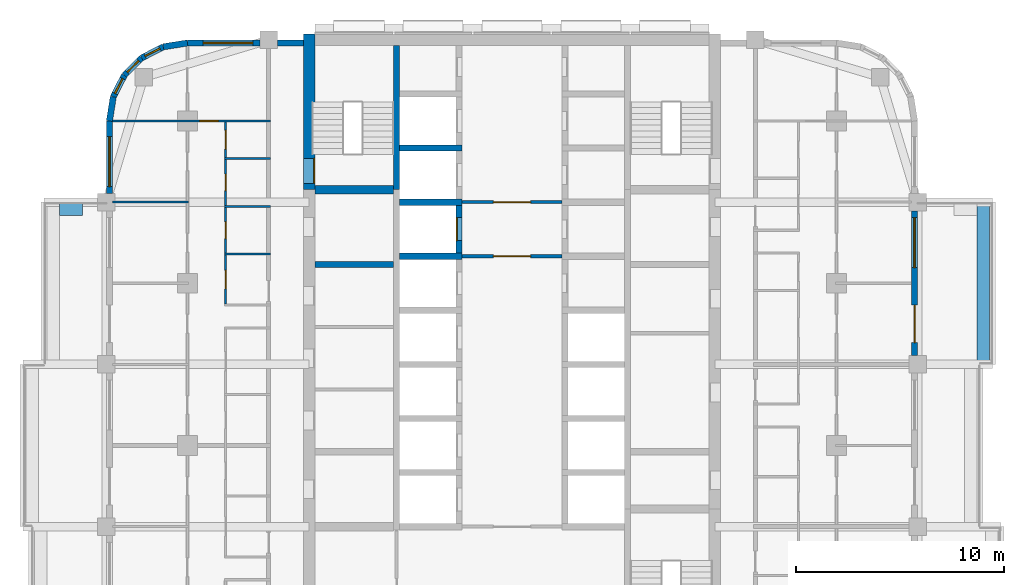
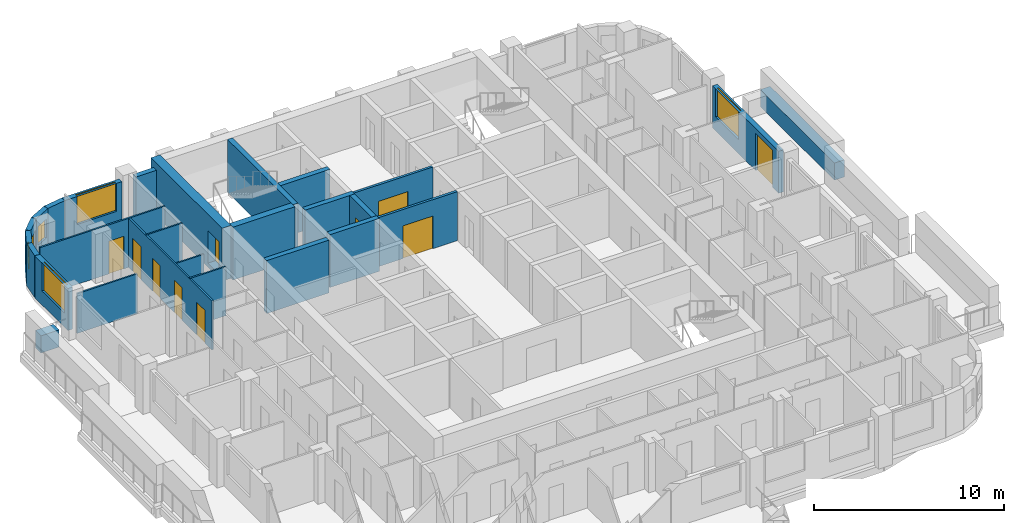
# One storey, part 8 of 14: 27 walls, 10 doors, 6 windows, 16 openings.
"""IFC4 building model written with IfcOpenShell, lengths in metres."""

from ifc_helpers import new_model, si_unit, direction, frame, frame_2d, origin, place, context, subcontext, project, spatial, rectangle, extrude, material, layer, layer_set, type_object, element, fill, save


model = new_model("IFC4")

# Units and contexts
model_context = context("Model", 3, precision=1e-05, world=origin(), true_north=direction((0.0, 1.0)))
body_context = subcontext(model_context, "Body", "Model", "MODEL_VIEW")
ifc_project = project(units=[si_unit("LENGTHUNIT", "METRE"), si_unit("AREAUNIT", "SQUARE_METRE"), si_unit("VOLUMEUNIT", "CUBIC_METRE"), si_unit("PLANEANGLEUNIT", "RADIAN"), si_unit("MASSUNIT", "GRAM", prefix="KILO")], contexts=[model_context])

# Site, building, storey
site_placement = place(None, origin())
site = spatial("IfcSite", under=ifc_project, at=site_placement, CompositionType="ELEMENT")
building_placement = place(site_placement, origin())
building = spatial("IfcBuilding", under=site, at=building_placement, Name="Ludao Terraces", CompositionType="ELEMENT")
storey_placement = place(building_placement, frame((0.0, 0.0, 106.699951171875)))
storey = spatial("IfcBuildingStorey", under=building, at=storey_placement, Name="L29", CompositionType="ELEMENT", Elevation=106.699951171875)

# Wall, opening, door
ifc_material_1 = material(Name="Concrete C60", Category="concrete")
ifc_layer_1 = layer(ifc_material_1, 0.550048828125)
ifc_layer_set_1 = layer_set([ifc_layer_1], Name="Core wall 550 C60")
wall_type_1 = type_object("IfcWallType", Name="Core wall 550 C60", PredefinedType="SOLIDWALL", material=ifc_layer_set_1)
wall_1_placement = place(storey_placement, frame((75.25, 77.300048828125, -0.25), z_axis=(0.0, 0.0, 1.0), x_axis=(0.0, 1.0, 0.0)))
wall_1 = element("IfcWall", 1, at=wall_1_placement, inside=storey, type_object=wall_type_1, Name="Core wall L29 outer-W-S1", PredefinedType="SOLIDWALL", context=body_context, shape_type="SweptSolid", body=[
    extrude(rectangle(XDim=7.474853515625, YDim=0.550048828125, at=frame_2d((3.7373046875, 0.0))), origin(), (0.0, 0.0, 1.0), 3.400146484375),
])
opening_1_placement = place(wall_1_placement, frame((0.300048828125, 0.0, 0.25)))
opening_1 = element("IfcOpeningElement", 2, at=opening_1_placement, cuts=wall_1, Name="Opening R08-088", PredefinedType="OPENING", context=body_context, shape_type="SweptSolid", body=[
    extrude(rectangle(XDim=1.199951171875, YDim=2.10009765625, at=frame_2d((0.60009765625, 1.050048828125))), frame((0.0, 0.28515625, 0.0), z_axis=(0.0, -1.0, 0.0), x_axis=(1.0, 0.0, 0.0)), (0.0, 0.0, 1.0), 0.570068359375),
])
ifc_material_2 = material(Name="Steel Q235", Category="steel")
door_type_1 = type_object("IfcDoorType", Name="INT Stair door 1200", OperationType="DOUBLE_DOOR_SINGLE_SWING", PredefinedType="DOOR", material=ifc_material_2)
door_1_placement = place(opening_1_placement, origin())
door_1 = element("IfcDoor", 3, at=door_1_placement, inside=storey, type_object=door_type_1, Name="DOOR 088", OperationType="DOUBLE_DOOR_SINGLE_SWING", OverallHeight=2.10009765625, OverallWidth=1.199951171875, PredefinedType="DOOR", context=body_context, shape_type="SweptSolid", body=[
    extrude(rectangle(XDim=1.199951171875, YDim=2.10009765625, at=frame_2d((0.60009765625, 1.050048828125))), frame((0.0, -0.2099609375, 0.0), z_axis=(0.0, -1.0, 0.0), x_axis=(1.0, 0.0, 0.0)), (0.0, 0.0, 1.0), 0.050048828125),
])
fill(opening_1, door_1)

# Walls
ifc_material_3 = material(Name="Concrete C40", Category="concrete")
ifc_layer_2 = layer(ifc_material_3, 0.60009765625)
ifc_layer_set_2 = layer_set([ifc_layer_2], Name="ENV Planter trough 600")
wall_type_2 = type_object("IfcWallType", Name="ENV Planter trough 600", PredefinedType="USERDEFINED", material=ifc_layer_set_2)
wall_2_placement = place(storey_placement, frame((107.64990234375, 68.89990234375, 0.0), z_axis=(0.0, 0.0, 1.0), x_axis=(0.0, 1.0, 0.0)))
element("IfcWall", 4, at=wall_2_placement, inside=storey, type_object=wall_type_2, Name="PL-L29-E3", ObjectType="PLANTER", PredefinedType="USERDEFINED", context=body_context, shape_type="SweptSolid", body=[
    extrude(rectangle(XDim=7.800048828125, YDim=0.60009765625, at=frame_2d((3.89990234375, 0.0))), origin(), (0.0, 0.0, 1.0), 1.10009765625),
])
wall_3_placement = place(storey_placement, frame((63.25, 76.35009765625, 0.0), z_axis=(0.0, 0.0, 1.0), x_axis=(1.0, 0.0, 0.0)))
element("IfcWall", 5, at=wall_3_placement, inside=storey, type_object=wall_type_2, Name="PL-L29-W3-SB", ObjectType="PLANTER", PredefinedType="USERDEFINED", context=body_context, shape_type="SweptSolid", body=[
    extrude(rectangle(XDim=1.10009765625, YDim=0.60009765625, at=frame_2d((0.550048828125, 0.0))), origin(), (0.0, 0.0, 1.0), 1.10009765625),
])

# Wall, openings, door, window
ifc_material_4 = material(Name="Granite cladding", Category="masonry")
ifc_layer_3 = layer(ifc_material_4, 0.0400390625, Category="stone")
ifc_material_5 = material(Name="Mineral wool")
ifc_layer_4 = layer(ifc_material_5, 0.06005859375)
ifc_layer_5 = layer(ifc_material_3, 0.199951171875, Category="concrete")
ifc_layer_set_3 = layer_set([ifc_layer_3, ifc_layer_4, ifc_layer_5], Name="ENV Stone-clad wall 300")
wall_type_3 = type_object("IfcWallType", Name="ENV Stone-clad wall 300", PredefinedType="SOLIDWALL", material=ifc_layer_set_3)
wall_4_placement = place(storey_placement, frame((104.35009765625, 69.324951171875, 0.0), z_axis=(0.0, 0.0, 1.0), x_axis=(0.0, 1.0, 0.0)))
wall_4 = element("IfcWall", 6, at=wall_4_placement, inside=storey, type_object=wall_type_3, Name="EW-L29-E4", PredefinedType="SOLIDWALL", context=body_context, shape_type="SweptSolid", body=[
    extrude(rectangle(XDim=6.949951171875, YDim=0.300048828125, at=frame_2d((3.47509765625, 0.0))), origin(), (0.0, 0.0, 1.0), 2.699951171875),
])
opening_2_placement = place(wall_4_placement, frame((0.625, 0.0, 0.0)))
opening_2 = element("IfcOpeningElement", 7, at=opening_2_placement, cuts=wall_4, Name="Opening BD", PredefinedType="OPENING", context=body_context, shape_type="SweptSolid", body=[
    extrude(rectangle(XDim=1.800048828125, YDim=2.39990234375, at=frame_2d((0.89990234375, 1.199951171875))), frame((0.0, 0.16015625, 0.0), z_axis=(0.0, -1.0, 0.0), x_axis=(1.0, 0.0, 0.0)), (0.0, 0.0, 1.0), 0.320068359375),
])
opening_3_placement = place(wall_4_placement, frame((4.22509765625, 0.0, 0.89990234375)))
opening_3 = element("IfcOpeningElement", 8, at=opening_3_placement, cuts=wall_4, Name="Opening W1", PredefinedType="OPENING", context=body_context, shape_type="SweptSolid", body=[
    extrude(rectangle(XDim=2.39990234375, YDim=1.800048828125, at=frame_2d((1.199951171875, 0.89990234375))), frame((0.0, 0.16015625, 0.0), z_axis=(0.0, -1.0, 0.0), x_axis=(1.0, 0.0, 0.0)), (0.0, 0.0, 1.0), 0.320068359375),
])
ifc_material_6 = material(Name="Aluminium glazed door", Category="aluminium")
ifc_layer_6 = layer(ifc_material_6, 0.06005859375)
ifc_layer_set_4 = layer_set([ifc_layer_6], Name="ENV Balcony door BD 1800x2400")
door_type_2 = type_object("IfcDoorType", Name="ENV Balcony door BD 1800x2400", OperationType="DOUBLE_DOOR_SINGLE_SWING", PredefinedType="DOOR", material=ifc_layer_set_4)
door_2_placement = place(opening_2_placement, origin())
door_2 = element("IfcDoor", 9, at=door_2_placement, inside=storey, type_object=door_type_2, Name="BD-L29-E4-1", OperationType="DOUBLE_DOOR_SINGLE_SWING", OverallHeight=2.39990234375, OverallWidth=1.800048828125, PredefinedType="DOOR", context=body_context, shape_type="SweptSolid", body=[
    extrude(rectangle(XDim=1.800048828125, YDim=2.39990234375, at=frame_2d((0.89990234375, 1.199951171875))), frame((0.0, 0.02490234375, 0.0), z_axis=(0.0, -1.0, 0.0), x_axis=(1.0, 0.0, 0.0)), (0.0, 0.0, 1.0), 0.050048828125),
])
fill(opening_2, door_2)
ifc_material_7 = material(Name="Clear glass in aluminium frame", Category="aluminium")
ifc_layer_7 = layer(ifc_material_7, 0.06005859375)
ifc_layer_set_5 = layer_set([ifc_layer_7], Name="ENV Window W1 2400x1800")
window_type_1 = type_object("IfcWindowType", Name="ENV Window W1 2400x1800", PartitioningType="DOUBLE_PANEL_VERTICAL", PredefinedType="WINDOW", material=ifc_layer_set_5)
window_1_placement = place(opening_3_placement, origin())
window_1 = element("IfcWindow", 10, at=window_1_placement, inside=storey, type_object=window_type_1, Name="W-L29-E4-2", OverallHeight=1.800048828125, OverallWidth=2.39990234375, PartitioningType="DOUBLE_PANEL_VERTICAL", PredefinedType="WINDOW", context=body_context, shape_type="SweptSolid", body=[
    extrude(rectangle(XDim=2.39990234375, YDim=1.800048828125, at=frame_2d((1.199951171875, 0.89990234375))), frame((0.0, 0.030029296875, 0.0), z_axis=(0.0, -1.0, 0.0), x_axis=(1.0, 0.0, 0.0)), (0.0, 0.0, 1.0), 0.06005859375),
])
fill(opening_3, window_1)

# Wall, opening, window
wall_5_placement = place(storey_placement, frame((69.39990234375, 84.35009765625, 0.0), z_axis=(0.0, 0.0, 1.0), x_axis=(1.0, 0.0, 0.0)))
wall_5 = element("IfcWall", 11, at=wall_5_placement, inside=storey, type_object=wall_type_3, Name="EW-L29-N1", PredefinedType="SOLIDWALL", context=body_context, shape_type="SweptSolid", body=[
    extrude(rectangle(XDim=3.47509765625, YDim=0.300048828125, at=frame_2d((1.737548828125, 0.0))), origin(), (0.0, 0.0, 1.0), 2.699951171875),
])
opening_4_placement = place(wall_5_placement, frame((0.75, 0.0, 0.89990234375)))
opening_4 = element("IfcOpeningElement", 12, at=opening_4_placement, cuts=wall_5, Name="Opening W1", PredefinedType="OPENING", context=body_context, shape_type="SweptSolid", body=[
    extrude(rectangle(XDim=2.39990234375, YDim=1.800048828125, at=frame_2d((1.199951171875, 0.89990234375))), frame((0.0, 0.16015625, 0.0), z_axis=(0.0, -1.0, 0.0), x_axis=(1.0, 0.0, 0.0)), (0.0, 0.0, 1.0), 0.320068359375),
])
window_2_placement = place(opening_4_placement, origin())
window_2 = element("IfcWindow", 13, at=window_2_placement, inside=storey, type_object=window_type_1, Name="W-L29-N1-1", OverallHeight=1.800048828125, OverallWidth=2.39990234375, PartitioningType="DOUBLE_PANEL_VERTICAL", PredefinedType="WINDOW", context=body_context, shape_type="SweptSolid", body=[
    extrude(rectangle(XDim=2.39990234375, YDim=1.800048828125, at=frame_2d((1.199951171875, 0.89990234375))), frame((0.0, 0.030029296875, 0.0), z_axis=(0.0, -1.0, 0.0), x_axis=(1.0, 0.0, 0.0)), (0.0, 0.0, 1.0), 0.06005859375),
])
fill(opening_4, window_2)

# Wall
wall_6_placement = place(storey_placement, frame((73.72509765625, 84.35009765625, 0.0), z_axis=(0.0, 0.0, 1.0), x_axis=(1.0, 0.0, 0.0)))
element("IfcWall", 14, at=wall_6_placement, inside=storey, type_object=wall_type_3, Name="EW-L29-N2", PredefinedType="SOLIDWALL", context=body_context, shape_type="SweptSolid", body=[
    extrude(rectangle(XDim=1.25, YDim=0.300048828125, at=frame_2d((0.625, 0.0))), origin(), (0.0, 0.0, 1.0), 2.699951171875),
])

# Wall, opening, window
wall_7_placement = place(storey_placement, frame((65.64990234375, 77.125, 0.0), z_axis=(0.0, 0.0, 1.0), x_axis=(0.0, 1.0, 0.0)))
wall_7 = element("IfcWall", 15, at=wall_7_placement, inside=storey, type_object=wall_type_3, Name="EW-L29-W5", PredefinedType="SOLIDWALL", context=body_context, shape_type="SweptSolid", body=[
    extrude(rectangle(XDim=3.47509765625, YDim=0.300048828125, at=frame_2d((1.737548828125, 0.0))), origin(), (0.0, 0.0, 1.0), 2.699951171875),
])
opening_5_placement = place(wall_7_placement, frame((0.324951171875, 0.0, 0.89990234375)))
opening_5 = element("IfcOpeningElement", 16, at=opening_5_placement, cuts=wall_7, Name="Opening W1", PredefinedType="OPENING", context=body_context, shape_type="SweptSolid", body=[
    extrude(rectangle(XDim=2.39990234375, YDim=1.800048828125, at=frame_2d((1.199951171875, 0.89990234375))), frame((0.0, 0.16015625, 0.0), z_axis=(0.0, -1.0, 0.0), x_axis=(1.0, 0.0, 0.0)), (0.0, 0.0, 1.0), 0.320068359375),
])
window_3_placement = place(opening_5_placement, origin())
window_3 = element("IfcWindow", 17, at=window_3_placement, inside=storey, type_object=window_type_1, Name="W-L29-W5-1", OverallHeight=1.800048828125, OverallWidth=2.39990234375, PartitioningType="DOUBLE_PANEL_VERTICAL", PredefinedType="WINDOW", context=body_context, shape_type="SweptSolid", body=[
    extrude(rectangle(XDim=2.39990234375, YDim=1.800048828125, at=frame_2d((1.199951171875, 0.89990234375))), frame((0.0, 0.030029296875, 0.0), z_axis=(0.0, -1.0, 0.0), x_axis=(1.0, 0.0, 0.0)), (0.0, 0.0, 1.0), 0.06005859375),
])
fill(opening_5, window_3)

# Wall
wall_8_placement = place(storey_placement, frame((69.39990234375, 84.35009765625, 0.0), z_axis=(0.0, 0.0, 1.0), x_axis=(-0.987678452879, -0.156496880861, 0.0)))
element("IfcWall", 18, at=wall_8_placement, inside=storey, type_object=wall_type_3, Name="EW-L29-NW1", PredefinedType="SOLIDWALL", context=body_context, shape_type="SweptSolid", body=[
    extrude(rectangle(XDim=1.173095703125, YDim=0.300048828125, at=frame_2d((0.58642578125, 0.0))), origin(), (0.0, 0.0, 1.0), 2.699951171875),
])

# Wall, opening, window
wall_9_placement = place(storey_placement, frame((68.2412109375, 84.16650390625, 0.0), z_axis=(0.0, 0.0, 1.0), x_axis=(-0.890988677504, -0.454025524128, 0.0)))
wall_9 = element("IfcWall", 19, at=wall_9_placement, inside=storey, type_object=wall_type_3, Name="EW-L29-NW2", PredefinedType="SOLIDWALL", context=body_context, shape_type="SweptSolid", body=[
    extrude(rectangle(XDim=1.17333984375, YDim=0.300048828125, at=frame_2d((0.586669921875, 0.0))), origin(), (0.0, 0.0, 1.0), 2.699951171875),
])
opening_6_placement = place(wall_9_placement, frame((0.1865234375, 0.0, 0.89990234375)))
opening_6 = element("IfcOpeningElement", 20, at=opening_6_placement, cuts=wall_9, Name="Opening W3", PredefinedType="OPENING", context=body_context, shape_type="SweptSolid", body=[
    extrude(rectangle(XDim=0.800048828125, YDim=1.199951171875, at=frame_2d((0.39990234375, 0.60009765625))), frame((0.0, 0.16015625, 0.0), z_axis=(0.0, -1.0, 0.0), x_axis=(1.0, 0.0, 0.0)), (0.0, 0.0, 1.0), 0.320068359375),
])
ifc_layer_8 = layer(ifc_material_7, 0.06005859375)
ifc_layer_set_6 = layer_set([ifc_layer_8], Name="ENV Window W3 800x1200")
window_type_2 = type_object("IfcWindowType", Name="ENV Window W3 800x1200", PartitioningType="SINGLE_PANEL", PredefinedType="WINDOW", material=ifc_layer_set_6)
window_4_placement = place(opening_6_placement, origin())
window_4 = element("IfcWindow", 21, at=window_4_placement, inside=storey, type_object=window_type_2, Name="W-L29-NW2", OverallHeight=1.199951171875, OverallWidth=0.800048828125, PartitioningType="SINGLE_PANEL", PredefinedType="WINDOW", context=body_context, shape_type="SweptSolid", body=[
    extrude(rectangle(XDim=0.800048828125, YDim=1.199951171875, at=frame_2d((0.39990234375, 0.60009765625))), frame((0.0, 0.030029296875, 0.0), z_axis=(0.0, -1.0, 0.0), x_axis=(1.0, 0.0, 0.0)), (0.0, 0.0, 1.0), 0.06005859375),
])
fill(opening_6, window_4)

wall_10_placement = place(storey_placement, frame((67.19580078125, 83.6337890625, 0.0), z_axis=(0.0, 0.0, 1.0), x_axis=(-0.707106781187, -0.707106781187, 0.0)))
wall_10 = element("IfcWall", 22, at=wall_10_placement, inside=storey, type_object=wall_type_3, Name="EW-L29-NW3", PredefinedType="SOLIDWALL", context=body_context, shape_type="SweptSolid", body=[
    extrude(rectangle(XDim=1.173095703125, YDim=0.300048828125, at=frame_2d((0.58642578125, 0.0))), origin(), (0.0, 0.0, 1.0), 2.699951171875),
])
opening_7_placement = place(wall_10_placement, frame((0.1865234375, 0.0, 0.89990234375)))
opening_7 = element("IfcOpeningElement", 23, at=opening_7_placement, cuts=wall_10, Name="Opening W3", PredefinedType="OPENING", context=body_context, shape_type="SweptSolid", body=[
    extrude(rectangle(XDim=0.800048828125, YDim=1.199951171875, at=frame_2d((0.39990234375, 0.60009765625))), frame((0.0, 0.16015625, 0.0), z_axis=(0.0, -1.0, 0.0), x_axis=(1.0, 0.0, 0.0)), (0.0, 0.0, 1.0), 0.320068359375),
])
window_5_placement = place(opening_7_placement, origin())
window_5 = element("IfcWindow", 24, at=window_5_placement, inside=storey, type_object=window_type_2, Name="W-L29-NW3", OverallHeight=1.199951171875, OverallWidth=0.800048828125, PartitioningType="SINGLE_PANEL", PredefinedType="WINDOW", context=body_context, shape_type="SweptSolid", body=[
    extrude(rectangle(XDim=0.800048828125, YDim=1.199951171875, at=frame_2d((0.39990234375, 0.60009765625))), frame((0.0, 0.030029296875, 0.0), z_axis=(0.0, -1.0, 0.0), x_axis=(1.0, 0.0, 0.0)), (0.0, 0.0, 1.0), 0.06005859375),
])
fill(opening_7, window_5)

wall_11_placement = place(storey_placement, frame((66.3662109375, 82.80419921875, 0.0), z_axis=(0.0, 0.0, 1.0), x_axis=(-0.454025524128, -0.890988677504, 0.0)))
wall_11 = element("IfcWall", 25, at=wall_11_placement, inside=storey, type_object=wall_type_3, Name="EW-L29-NW4", PredefinedType="SOLIDWALL", context=body_context, shape_type="SweptSolid", body=[
    extrude(rectangle(XDim=1.17333984375, YDim=0.300048828125, at=frame_2d((0.586669921875, 0.0))), origin(), (0.0, 0.0, 1.0), 2.699951171875),
])
opening_8_placement = place(wall_11_placement, frame((0.1865234375, 0.0, 0.89990234375)))
opening_8 = element("IfcOpeningElement", 26, at=opening_8_placement, cuts=wall_11, Name="Opening W3", PredefinedType="OPENING", context=body_context, shape_type="SweptSolid", body=[
    extrude(rectangle(XDim=0.800048828125, YDim=1.199951171875, at=frame_2d((0.39990234375, 0.60009765625))), frame((0.0, 0.16015625, 0.0), z_axis=(0.0, -1.0, 0.0), x_axis=(1.0, 0.0, 0.0)), (0.0, 0.0, 1.0), 0.320068359375),
])
window_6_placement = place(opening_8_placement, origin())
window_6 = element("IfcWindow", 27, at=window_6_placement, inside=storey, type_object=window_type_2, Name="W-L29-NW4", OverallHeight=1.199951171875, OverallWidth=0.800048828125, PartitioningType="SINGLE_PANEL", PredefinedType="WINDOW", context=body_context, shape_type="SweptSolid", body=[
    extrude(rectangle(XDim=0.800048828125, YDim=1.199951171875, at=frame_2d((0.39990234375, 0.60009765625))), frame((0.0, 0.030029296875, 0.0), z_axis=(0.0, -1.0, 0.0), x_axis=(1.0, 0.0, 0.0)), (0.0, 0.0, 1.0), 0.06005859375),
])
fill(opening_8, window_6)

# Wall
wall_12_placement = place(storey_placement, frame((65.83349609375, 81.7587890625, 0.0), z_axis=(0.0, 0.0, 1.0), x_axis=(-0.156496880861, -0.987678452879, 0.0)))
element("IfcWall", 28, at=wall_12_placement, inside=storey, type_object=wall_type_3, Name="EW-L29-NW5", PredefinedType="SOLIDWALL", context=body_context, shape_type="SweptSolid", body=[
    extrude(rectangle(XDim=1.173095703125, YDim=0.300048828125, at=frame_2d((0.58642578125, 0.0))), origin(), (0.0, 0.0, 1.0), 2.699951171875),
])

# Wall, opening, door
ifc_material_8 = material(Name="Fire-rated gypsum plasterboard", Category="gypsum")
ifc_layer_9 = layer(ifc_material_8, 0.012451171875, Category="gypsum")
ifc_layer_10 = layer(ifc_material_5, 0.10009765625, Name="insulation")
ifc_layer_11 = layer(ifc_material_2, 0.02490234375, Name="stud")
ifc_layer_12 = layer(ifc_material_8, 0.012451171875, Category="gypsum")
ifc_layer_set_7 = layer_set([ifc_layer_9, ifc_layer_10, ifc_layer_11, ifc_layer_12], Name="INT Core partition 150")
wall_type_4 = type_object("IfcWallType", Name="INT Core partition 150", PredefinedType="PARTITIONING", material=ifc_layer_set_7)
wall_13_placement = place(storey_placement, frame((82.60009765625, 74.10009765625, 0.0), z_axis=(0.0, 0.0, 1.0), x_axis=(1.0, 0.0, 0.0)))
wall_13 = element("IfcWall", 29, at=wall_13_placement, inside=storey, type_object=wall_type_4, Name="PW-L29-PW038", PredefinedType="PARTITIONING", context=body_context, shape_type="SweptSolid", body=[
    extrude(rectangle(XDim=4.800048828125, YDim=0.14990234375, at=frame_2d((2.39990234375, 0.0))), origin(), (0.0, 0.0, 1.0), 3.150146484375),
])
opening_9_placement = place(wall_13_placement, frame((1.5, 0.0, 0.0)))
opening_9 = element("IfcOpeningElement", 30, at=opening_9_placement, cuts=wall_13, Name="Opening R08-074", PredefinedType="OPENING", context=body_context, shape_type="SweptSolid", body=[
    extrude(rectangle(XDim=1.800048828125, YDim=2.10009765625, at=frame_2d((0.89990234375, 1.050048828125))), frame((0.0, 0.0849609375, 0.0), z_axis=(0.0, -1.0, 0.0), x_axis=(1.0, 0.0, 0.0)), (0.0, 0.0, 1.0), 0.169921875),
])
door_type_3 = type_object("IfcDoorType", Name="INT Fire lobby door 1800", OperationType="DOUBLE_DOOR_SINGLE_SWING", PredefinedType="DOOR", material=ifc_material_2)
door_3_placement = place(opening_9_placement, origin())
door_3 = element("IfcDoor", 31, at=door_3_placement, inside=storey, type_object=door_type_3, Name="DOOR 074", OperationType="DOUBLE_DOOR_SINGLE_SWING", OverallHeight=2.10009765625, OverallWidth=1.800048828125, PredefinedType="DOOR", context=body_context, shape_type="SweptSolid", body=[
    extrude(rectangle(XDim=1.800048828125, YDim=2.10009765625, at=frame_2d((0.89990234375, 1.050048828125))), frame((0.0, 0.02490234375, 0.0), z_axis=(0.0, -1.0, 0.0), x_axis=(1.0, 0.0, 0.0)), (0.0, 0.0, 1.0), 0.050048828125),
])
fill(opening_9, door_3)

wall_14_placement = place(storey_placement, frame((82.60009765625, 76.699951171875, 0.0), z_axis=(0.0, 0.0, 1.0), x_axis=(1.0, 0.0, 0.0)))
wall_14 = element("IfcWall", 32, at=wall_14_placement, inside=storey, type_object=wall_type_4, Name="PW-L29-PW044", PredefinedType="PARTITIONING", context=body_context, shape_type="SweptSolid", body=[
    extrude(rectangle(XDim=4.800048828125, YDim=0.14990234375, at=frame_2d((2.39990234375, 0.0))), origin(), (0.0, 0.0, 1.0), 3.150146484375),
])
opening_10_placement = place(wall_14_placement, frame((1.5, 0.0, 0.0)))
opening_10 = element("IfcOpeningElement", 33, at=opening_10_placement, cuts=wall_14, Name="Opening R08-084", PredefinedType="OPENING", context=body_context, shape_type="SweptSolid", body=[
    extrude(rectangle(XDim=1.800048828125, YDim=2.10009765625, at=frame_2d((0.89990234375, 1.050048828125))), frame((0.0, 0.0849609375, 0.0), z_axis=(0.0, -1.0, 0.0), x_axis=(1.0, 0.0, 0.0)), (0.0, 0.0, 1.0), 0.169921875),
])
door_4_placement = place(opening_10_placement, origin())
door_4 = element("IfcDoor", 34, at=door_4_placement, inside=storey, type_object=door_type_3, Name="DOOR 084", OperationType="DOUBLE_DOOR_SINGLE_SWING", OverallHeight=2.10009765625, OverallWidth=1.800048828125, PredefinedType="DOOR", context=body_context, shape_type="SweptSolid", body=[
    extrude(rectangle(XDim=1.800048828125, YDim=2.10009765625, at=frame_2d((0.89990234375, 1.050048828125))), frame((0.0, 0.02490234375, 0.0), z_axis=(0.0, -1.0, 0.0), x_axis=(1.0, 0.0, 0.0)), (0.0, 0.0, 1.0), 0.050048828125),
])
fill(opening_10, door_4)

# Walls
ifc_material_9 = material(Name="Gypsum plasterboard", Category="gypsum")
ifc_layer_13 = layer(ifc_material_9, 0.012451171875, Category="gypsum")
ifc_layer_14 = layer(ifc_material_5, 0.06005859375, Name="insulation")
ifc_layer_15 = layer(ifc_material_2, 0.014892578125, Name="stud")
ifc_layer_16 = layer(ifc_material_9, 0.012451171875, Category="gypsum")
ifc_layer_set_8 = layer_set([ifc_layer_13, ifc_layer_14, ifc_layer_15, ifc_layer_16], Name="INT Partition 100")
wall_type_5 = type_object("IfcWallType", Name="INT Partition 100", PredefinedType="PARTITIONING", material=ifc_layer_set_8)
wall_15_placement = place(storey_placement, frame((71.18017578125, 74.199951171875, 0.0), z_axis=(0.0, 0.0, 1.0), x_axis=(1.0, 0.0, 0.0)))
element("IfcWall", 35, at=wall_15_placement, inside=storey, type_object=wall_type_5, Name="PW-L29-PW039", PredefinedType="PARTITIONING", context=body_context, shape_type="SweptSolid", body=[
    extrude(rectangle(XDim=2.219970703125, YDim=0.10009765625, at=frame_2d((1.10986328125, 0.0))), origin(), (0.0, 0.0, 1.0), 3.150146484375),
])
wall_16_placement = place(storey_placement, frame((71.18017578125, 76.5, 0.0), z_axis=(0.0, 0.0, 1.0), x_axis=(1.0, 0.0, 0.0)))
element("IfcWall", 36, at=wall_16_placement, inside=storey, type_object=wall_type_5, Name="PW-L29-PW042", PredefinedType="PARTITIONING", context=body_context, shape_type="SweptSolid", body=[
    extrude(rectangle(XDim=2.219970703125, YDim=0.10009765625, at=frame_2d((1.10986328125, 0.0))), origin(), (0.0, 0.0, 1.0), 2.550048828125),
])
wall_17_placement = place(storey_placement, frame((65.800048828125, 76.699951171875, 0.0), z_axis=(0.0, 0.0, 1.0), x_axis=(1.0, 0.0, 0.0)))
element("IfcWall", 37, at=wall_17_placement, inside=storey, type_object=wall_type_5, Name="PW-L29-PW043", PredefinedType="PARTITIONING", context=body_context, shape_type="SweptSolid", body=[
    extrude(rectangle(XDim=3.650146484375, YDim=0.10009765625, at=frame_2d((1.8251953125, 0.0))), origin(), (0.0, 0.0, 1.0), 2.550048828125),
])
wall_18_placement = place(storey_placement, frame((71.18017578125, 78.800048828125, 0.0), z_axis=(0.0, 0.0, 1.0), x_axis=(1.0, 0.0, 0.0)))
element("IfcWall", 38, at=wall_18_placement, inside=storey, type_object=wall_type_5, Name="PW-L29-PW047", PredefinedType="PARTITIONING", context=body_context, shape_type="SweptSolid", body=[
    extrude(rectangle(XDim=2.219970703125, YDim=0.10009765625, at=frame_2d((1.10986328125, 0.0))), origin(), (0.0, 0.0, 1.0), 3.150146484375),
])

# Wall, opening, door
wall_19_placement = place(storey_placement, frame((65.800048828125, 80.60009765625, 0.0), z_axis=(0.0, 0.0, 1.0), x_axis=(1.0, 0.0, 0.0)))
wall_19 = element("IfcWall", 39, at=wall_19_placement, inside=storey, type_object=wall_type_5, Name="PW-L29-PW048", PredefinedType="PARTITIONING", context=body_context, shape_type="SweptSolid", body=[
    extrude(rectangle(XDim=7.60009765625, YDim=0.10009765625, at=frame_2d((3.800048828125, 0.0))), origin(), (0.0, 0.0, 1.0), 3.150146484375),
])
opening_11_placement = place(wall_19_placement, frame((4.18994140625, 0.0, 0.0)))
opening_11 = element("IfcOpeningElement", 40, at=opening_11_placement, cuts=wall_19, Name="Opening R08-094", PredefinedType="OPENING", context=body_context, shape_type="SweptSolid", body=[
    extrude(rectangle(XDim=0.89990234375, YDim=2.10009765625, at=frame_2d((0.449951171875, 1.050048828125))), frame((0.0, 0.06005859375, 0.0), z_axis=(0.0, -1.0, 0.0), x_axis=(1.0, 0.0, 0.0)), (0.0, 0.0, 1.0), 0.1201171875),
])
ifc_material_10 = material(Name="Timber door leaf", Category="wood")
door_type_4 = type_object("IfcDoorType", Name="INT Room door 900", OperationType="SINGLE_SWING_LEFT", PredefinedType="DOOR", material=ifc_material_10)
door_5_placement = place(opening_11_placement, origin())
door_5 = element("IfcDoor", 41, at=door_5_placement, inside=storey, type_object=door_type_4, Name="DOOR 094", OperationType="SINGLE_SWING_LEFT", OverallHeight=2.10009765625, OverallWidth=0.89990234375, PredefinedType="DOOR", context=body_context, shape_type="SweptSolid", body=[
    extrude(rectangle(XDim=0.89990234375, YDim=2.10009765625, at=frame_2d((0.449951171875, 1.050048828125))), frame((0.0, 0.02490234375, 0.0), z_axis=(0.0, -1.0, 0.0), x_axis=(1.0, 0.0, 0.0)), (0.0, 0.0, 1.0), 0.050048828125),
])
fill(opening_11, door_5)

# Wall, openings, doors
wall_20_placement = place(storey_placement, frame((71.22998046875, 71.800048828125, 0.0), z_axis=(0.0, 0.0, 1.0), x_axis=(0.0, 1.0, 0.0)))
wall_20 = element("IfcWall", 42, at=wall_20_placement, inside=storey, type_object=wall_type_5, Name="PW-L29-PW053", PredefinedType="PARTITIONING", context=body_context, shape_type="SweptSolid", body=[
    extrude(rectangle(XDim=8.75, YDim=0.10009765625, at=frame_2d((4.375, 0.0))), origin(), (0.0, 0.0, 1.0), 3.150146484375),
])
opening_12_placement = place(wall_20_placement, frame((0.72509765625, 0.0, 0.0)))
opening_12 = element("IfcOpeningElement", 43, at=opening_12_placement, cuts=wall_20, Name="Opening R08-072", PredefinedType="OPENING", context=body_context, shape_type="SweptSolid", body=[
    extrude(rectangle(XDim=0.89990234375, YDim=2.10009765625, at=frame_2d((0.449951171875, 1.050048828125))), frame((0.0, 0.06005859375, 0.0), z_axis=(0.0, -1.0, 0.0), x_axis=(1.0, 0.0, 0.0)), (0.0, 0.0, 1.0), 0.1201171875),
])
opening_13_placement = place(wall_20_placement, frame((3.14990234375, 0.0, 0.0)))
opening_13 = element("IfcOpeningElement", 44, at=opening_13_placement, cuts=wall_20, Name="Opening R08-077", PredefinedType="OPENING", context=body_context, shape_type="SweptSolid", body=[
    extrude(rectangle(XDim=0.800048828125, YDim=2.10009765625, at=frame_2d((0.39990234375, 1.050048828125))), frame((0.0, 0.06005859375, 0.0), z_axis=(0.0, -1.0, 0.0), x_axis=(1.0, 0.0, 0.0)), (0.0, 0.0, 1.0), 0.1201171875),
])
opening_14_placement = place(wall_20_placement, frame((5.449951171875, 0.0, 0.0)))
opening_14 = element("IfcOpeningElement", 45, at=opening_14_placement, cuts=wall_20, Name="Opening R08-085", PredefinedType="OPENING", context=body_context, shape_type="SweptSolid", body=[
    extrude(rectangle(XDim=0.800048828125, YDim=2.10009765625, at=frame_2d((0.39990234375, 1.050048828125))), frame((0.0, 0.06005859375, 0.0), z_axis=(0.0, -1.0, 0.0), x_axis=(1.0, 0.0, 0.0)), (0.0, 0.0, 1.0), 0.1201171875),
])
opening_15_placement = place(wall_20_placement, frame((7.449951171875, 0.0, 0.0)))
opening_15 = element("IfcOpeningElement", 46, at=opening_15_placement, cuts=wall_20, Name="Opening R08-093", PredefinedType="OPENING", context=body_context, shape_type="SweptSolid", body=[
    extrude(rectangle(XDim=0.89990234375, YDim=2.10009765625, at=frame_2d((0.449951171875, 1.050048828125))), frame((0.0, 0.06005859375, 0.0), z_axis=(0.0, -1.0, 0.0), x_axis=(1.0, 0.0, 0.0)), (0.0, 0.0, 1.0), 0.1201171875),
])
door_type_5 = type_object("IfcDoorType", Name="INT Bathroom door 900", OperationType="SINGLE_SWING_LEFT", PredefinedType="DOOR", material=ifc_material_10)
door_6_placement = place(opening_12_placement, origin())
door_6 = element("IfcDoor", 47, at=door_6_placement, inside=storey, type_object=door_type_5, Name="DOOR 072", OperationType="SINGLE_SWING_RIGHT", OverallHeight=2.10009765625, OverallWidth=0.89990234375, PredefinedType="DOOR", context=body_context, shape_type="SweptSolid", body=[
    extrude(rectangle(XDim=0.89990234375, YDim=2.10009765625, at=frame_2d((0.449951171875, 1.050048828125))), frame((0.0, 0.02490234375, 0.0), z_axis=(0.0, -1.0, 0.0), x_axis=(1.0, 0.0, 0.0)), (0.0, 0.0, 1.0), 0.050048828125),
])
fill(opening_12, door_6)
door_7_placement = place(opening_15_placement, origin())
door_7 = element("IfcDoor", 48, at=door_7_placement, inside=storey, type_object=door_type_5, Name="DOOR 093", OperationType="SINGLE_SWING_RIGHT", OverallHeight=2.10009765625, OverallWidth=0.89990234375, PredefinedType="DOOR", context=body_context, shape_type="SweptSolid", body=[
    extrude(rectangle(XDim=0.89990234375, YDim=2.10009765625, at=frame_2d((0.449951171875, 1.050048828125))), frame((0.0, 0.02490234375, 0.0), z_axis=(0.0, -1.0, 0.0), x_axis=(1.0, 0.0, 0.0)), (0.0, 0.0, 1.0), 0.050048828125),
])
fill(opening_15, door_7)
door_type_6 = type_object("IfcDoorType", Name="INT Store door 800", OperationType="SINGLE_SWING_LEFT", PredefinedType="DOOR", material=ifc_material_10)
door_8_placement = place(opening_13_placement, origin())
door_8 = element("IfcDoor", 49, at=door_8_placement, inside=storey, type_object=door_type_6, Name="DOOR 077", OperationType="SINGLE_SWING_RIGHT", OverallHeight=2.10009765625, OverallWidth=0.800048828125, PredefinedType="DOOR", context=body_context, shape_type="SweptSolid", body=[
    extrude(rectangle(XDim=0.800048828125, YDim=2.10009765625, at=frame_2d((0.39990234375, 1.050048828125))), frame((0.0, 0.02490234375, 0.0), z_axis=(0.0, -1.0, 0.0), x_axis=(1.0, 0.0, 0.0)), (0.0, 0.0, 1.0), 0.050048828125),
])
fill(opening_13, door_8)
door_9_placement = place(opening_14_placement, origin())
door_9 = element("IfcDoor", 50, at=door_9_placement, inside=storey, type_object=door_type_6, Name="DOOR 085", OperationType="SINGLE_SWING_LEFT", OverallHeight=2.10009765625, OverallWidth=0.800048828125, PredefinedType="DOOR", context=body_context, shape_type="SweptSolid", body=[
    extrude(rectangle(XDim=0.800048828125, YDim=2.10009765625, at=frame_2d((0.39990234375, 1.050048828125))), frame((0.0, 0.02490234375, 0.0), z_axis=(0.0, -1.0, 0.0), x_axis=(1.0, 0.0, 0.0)), (0.0, 0.0, 1.0), 0.050048828125),
])
fill(opening_14, door_9)

# Walls
ifc_material_11 = material(Name="Concrete C55", Category="concrete")
ifc_layer_17 = layer(ifc_material_11, 0.300048828125)
ifc_layer_set_9 = layer_set([ifc_layer_17], Name="Shaft wall 300 C55")
wall_type_6 = type_object("IfcWallType", Name="Shaft wall 300 C55", PredefinedType="SOLIDWALL", material=ifc_layer_set_9)
wall_21_placement = place(storey_placement, frame((79.449951171875, 77.300048828125, -0.25), z_axis=(0.0, 0.0, 1.0), x_axis=(0.0, 1.0, 0.0)))
element("IfcWall", 51, at=wall_21_placement, inside=storey, type_object=wall_type_6, Name="Core wall L29 back-W-S1", PredefinedType="SOLIDWALL", context=body_context, shape_type="SweptSolid", body=[
    extrude(rectangle(XDim=6.925048828125, YDim=0.300048828125, at=frame_2d((3.46240234375, 0.0))), origin(), (0.0, 0.0, 1.0), 3.400146484375),
])
wall_22_placement = place(storey_placement, frame((79.60009765625, 74.10009765625, -0.25), z_axis=(0.0, 0.0, 1.0), x_axis=(1.0, 0.0, 0.0)))
element("IfcWall", 52, at=wall_22_placement, inside=storey, type_object=wall_type_6, Name="Core wall L29 div-W6", PredefinedType="SOLIDWALL", context=body_context, shape_type="SweptSolid", body=[
    extrude(rectangle(XDim=3.0, YDim=0.300048828125, at=frame_2d((1.5, 0.0))), origin(), (0.0, 0.0, 1.0), 3.400146484375),
])

# Wall, opening, door
wall_23_placement = place(storey_placement, frame((82.449951171875, 74.25, -0.25), z_axis=(0.0, 0.0, 1.0), x_axis=(0.0, 1.0, 0.0)))
wall_23 = element("IfcWall", 53, at=wall_23_placement, inside=storey, type_object=wall_type_6, Name="Core wall L29 front-W6", PredefinedType="SOLIDWALL", context=body_context, shape_type="SweptSolid", body=[
    extrude(rectangle(XDim=2.300048828125, YDim=0.300048828125, at=frame_2d((1.14990234375, 0.0))), origin(), (0.0, 0.0, 1.0), 3.400146484375),
])
opening_16_placement = place(wall_23_placement, frame((0.60009765625, 0.0, 0.25)))
opening_16 = element("IfcOpeningElement", 54, at=opening_16_placement, cuts=wall_23, Name="Opening LD-LA6", PredefinedType="OPENING", context=body_context, shape_type="SweptSolid", body=[
    extrude(rectangle(XDim=1.10009765625, YDim=2.10009765625, at=frame_2d((0.550048828125, 1.050048828125))), frame((0.0, 0.16015625, 0.0), z_axis=(0.0, -1.0, 0.0), x_axis=(1.0, 0.0, 0.0)), (0.0, 0.0, 1.0), 0.320068359375),
])
ifc_material_12 = material(Name="Stainless steel 304", Category="steel")
door_type_7 = type_object("IfcDoorType", Name="INT Lift landing door 1100", OperationType="SLIDING_TO_LEFT", PredefinedType="DOOR", material=ifc_material_12)
door_10_placement = place(opening_16_placement, origin())
door_10 = element("IfcDoor", 55, at=door_10_placement, inside=storey, type_object=door_type_7, Name="LANDING DOOR LA6 L29", OperationType="SLIDING_TO_LEFT", OverallHeight=2.10009765625, OverallWidth=1.10009765625, PredefinedType="DOOR", context=body_context, shape_type="SweptSolid", body=[
    extrude(rectangle(XDim=1.10009765625, YDim=2.10009765625, at=frame_2d((0.550048828125, 1.050048828125))), frame((0.0, 0.13525390625, 0.0), z_axis=(0.0, -1.0, 0.0), x_axis=(1.0, 0.0, 0.0)), (0.0, 0.0, 1.0), 0.050048828125),
])
fill(opening_16, door_10)

# Walls
for number, where, z_axis, x_axis, name in (
    (56, (79.60009765625, 76.699951171875, -0.25), (0.0, 0.0, 1.0), (1.0, 0.0, 0.0), "Core wall L29 div-W7"),
    (57, (79.60009765625, 79.300048828125, -0.25), (0.0, 0.0, 1.0), (1.0, 0.0, 0.0), "Core wall L29 div-W8"),
):
    element("IfcWall", number, at=place(storey_placement, frame(where, z_axis=z_axis, x_axis=x_axis)), inside=storey, type_object=wall_type_6, Name=name, PredefinedType="SOLIDWALL", context=body_context, shape_type="SweptSolid", body=[
        extrude(rectangle(XDim=3.0, YDim=0.300048828125, at=frame_2d((1.5, 0.0))), origin(), (0.0, 0.0, 1.0), 3.400146484375),
    ])
wall_24_placement = place(storey_placement, frame((75.52490234375, 73.699951171875, -0.25), z_axis=(0.0, 0.0, 1.0), x_axis=(1.0, 0.0, 0.0)))
element("IfcWall", 58, at=wall_24_placement, inside=storey, type_object=wall_type_6, Name="Core wall L29 riser-b-W", PredefinedType="SOLIDWALL", context=body_context, shape_type="SweptSolid", body=[
    extrude(rectangle(XDim=3.775146484375, YDim=0.300048828125, at=frame_2d((1.8876953125, 0.0))), origin(), (0.0, 0.0, 1.0), 3.400146484375),
])
ifc_layer_18 = layer(ifc_material_11, 0.39990234375)
ifc_layer_set_10 = layer_set([ifc_layer_18], Name="Shaft wall 400 C55")
wall_type_7 = type_object("IfcWallType", Name="Shaft wall 400 C55", PredefinedType="SOLIDWALL", material=ifc_layer_set_10)
wall_25_placement = place(storey_placement, frame((75.52490234375, 77.300048828125, -0.25), z_axis=(0.0, 0.0, 1.0), x_axis=(1.0, 0.0, 0.0)))
element("IfcWall", 59, at=wall_25_placement, inside=storey, type_object=wall_type_7, Name="Core wall L29 stair-W", PredefinedType="SOLIDWALL", context=body_context, shape_type="SweptSolid", body=[
    extrude(rectangle(XDim=3.775146484375, YDim=0.39990234375, at=frame_2d((1.8876953125, 0.0))), origin(), (0.0, 0.0, 1.0), 3.400146484375),
])

save(model, "model.ifc")
